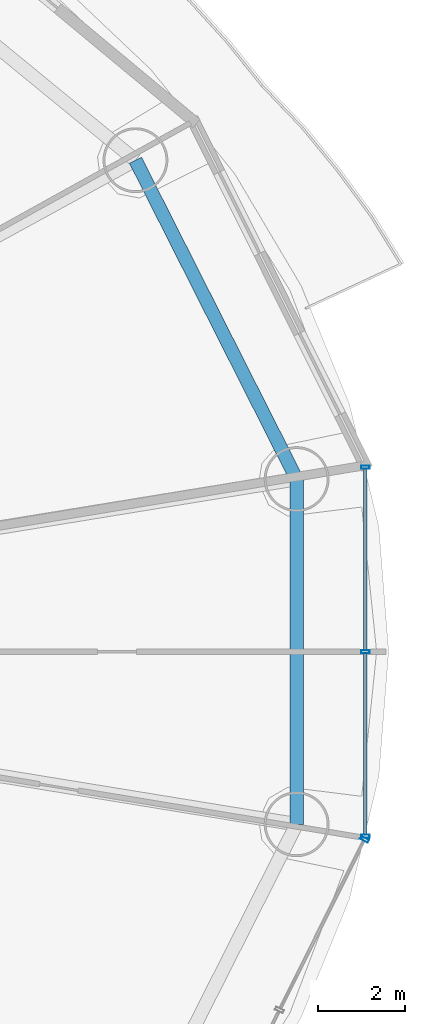
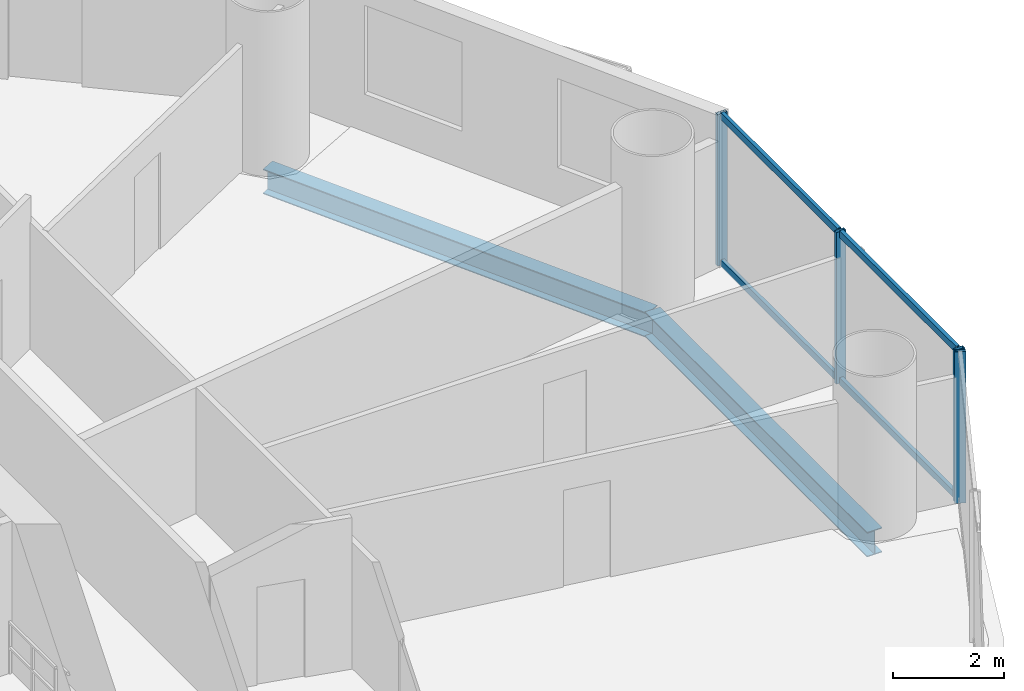
# One storey, part 15 of 29: 8 members, 2 beams, 2 elements without a shape of their own.
"""IFC4 building model written with IfcOpenShell, lengths in metres."""

from ifc_helpers import new_model, si_unit, direction, frame, origin, origin_2d, place, context, subcontext, project, spatial, hollow_rectangle, i_section, extrude, source, transform, mapped, material, material_profile, profile_set, type_object, element, aggregate, save


model = new_model("IFC4")

# Units and contexts
model_context = context("Model", 3, precision=1e-05, world=origin(), true_north=direction((-0.2419218956, 0.970295726276)))
body_context = subcontext(model_context, "Body", "Model", "MODEL_VIEW")
ifc_project = project(units=[si_unit("LENGTHUNIT", "METRE"), si_unit("AREAUNIT", "SQUARE_METRE"), si_unit("VOLUMEUNIT", "CUBIC_METRE"), si_unit("PLANEANGLEUNIT", "RADIAN"), si_unit("MASSUNIT", "GRAM", prefix="KILO")], contexts=[model_context])

# Site, building, storey
site_placement = place(None, origin())
site = spatial("IfcSite", under=ifc_project, at=site_placement, CompositionType="ELEMENT")
building_placement = place(site_placement, origin())
building = spatial("IfcBuilding", under=site, at=building_placement, Name="Cobrevalo Terracotta Tower", CompositionType="ELEMENT")
storey_placement = place(building_placement, frame((0.0, 0.0, 87.0)))
storey = spatial("IfcBuildingStorey", under=building, at=storey_placement, Name="L22", CompositionType="ELEMENT", Elevation=87.0)

# Beams
ifc_material_1 = material(Name="Steel S355", Category="steel")
ifc_material_profile_1 = material_profile(ifc_material_1, i_section(OverallWidth=0.31201171875, OverallDepth=0.54296875, WebThickness=0.0126953125, FlangeThickness=0.020263671875, at=origin_2d()), Name="W 530x150")
ifc_profile_set_1 = profile_set([ifc_material_profile_1], Name="Steel S355")
beam_type = type_object("IfcBeamType", Name="Structural Spandrel W 530x150 (Steel S355)", PredefinedType="SPANDREL", material=ifc_profile_set_1)
beam_1_placement = place(storey_placement, frame((62.470703125, 30.78955078125, -0.54638671875), z_axis=(-0.451051982172, 0.892497680321, 0.0), x_axis=(-0.892497680321, -0.451051982172, 0.0)))
element("IfcBeam", 1, at=beam_1_placement, inside=storey, type_object=beam_type, Name="L22 perimeter ring spandrel 01", PredefinedType="SPANDREL", context=body_context, shape_type="SweptSolid", body=[
    extrude(i_section(OverallWidth=0.31201171875, OverallDepth=0.54296875, WebThickness=0.0126953125, FlangeThickness=0.020263671875, at=origin_2d()), origin(), (0.0, 0.0, 1.0), 8.259765625),
])
beam_2_placement = place(storey_placement, frame((62.470703125, 22.810302734375, -0.54638671875), z_axis=(0.0, 1.0, 0.0), x_axis=(-1.0, 0.0, 0.0)))
element("IfcBeam", 2, at=beam_2_placement, inside=storey, type_object=beam_type, Name="L22 perimeter ring spandrel 16", PredefinedType="SPANDREL", context=body_context, shape_type="SweptSolid", body=[
    extrude(i_section(OverallWidth=0.31201171875, OverallDepth=0.54296875, WebThickness=0.0126953125, FlangeThickness=0.020263671875, at=origin_2d()), origin(), (0.0, 0.0, 1.0), 7.979248046875),
])

# Curtain wall, members
ifc_material_2 = material(Name="Anodized aluminium", Category="aluminium")
curtain_wall_type = type_object("IfcCurtainWallType", Name="Lower-tower unitised acoustic low-E curtain wall CW-U1", PredefinedType="NOTDEFINED", material=ifc_material_2)
curtain_wall_1_placement = place(storey_placement, origin())
curtain_wall_1 = element("IfcCurtainWall", 3, at=curtain_wall_1_placement, inside=storey, type_object=curtain_wall_type, Name="L22 curtain wall CW-L22-S16", PredefinedType="NOTDEFINED")
ifc_material_profile_2 = material_profile(ifc_material_2, hollow_rectangle(XDim=0.074951171875, YDim=0.14990234375, WallThickness=0.00439453125, at=origin_2d()), Name="CWT 75x150")
ifc_profile_set_2 = profile_set([ifc_material_profile_2], Name="Anodized aluminium")
member_type_1 = type_object("IfcMemberType", Name="Tower unitised aluminium transom 75x150", PredefinedType="USERDEFINED", material=ifc_profile_set_2)
shared_shape_1 = source(origin(), body_context, "Body", "SweptSolid", [
    extrude(hollow_rectangle(XDim=0.074951171875, YDim=0.14990234375, WallThickness=0.00439453125, at=origin_2d()), origin(), (0.0, 0.0, 1.0), 4.185546875),
])
member_1_placement = place(storey_placement, frame((64.0595703125, 22.574462890625, 0.050048828125), z_axis=(0.0, 1.0, 0.0), x_axis=(-1.0, 0.0, 0.0)))
member_1 = element("IfcMember", 4, at=member_1_placement, type_object=member_type_1, Name="CW-L22-S16 transom B01-T1", ObjectType="TRANSOM", PredefinedType="USERDEFINED", context=body_context, shape_type="MappedRepresentation", body=[
    mapped(shared_shape_1, transform((0.0, 0.0, 0.0), scale=1.0)),
])
member_2_placement = place(storey_placement, frame((64.0595703125, 22.574462890625, 3.27490234375), z_axis=(0.0, 1.0, 0.0), x_axis=(-1.0, 0.0, 0.0)))
member_2 = element("IfcMember", 5, at=member_2_placement, type_object=member_type_1, Name="CW-L22-S16 transom B01-T2", ObjectType="TRANSOM", PredefinedType="USERDEFINED", context=body_context, shape_type="MappedRepresentation", body=[
    mapped(shared_shape_1, transform((0.0, 0.0, 0.0), scale=1.0)),
])
member_3_placement = place(storey_placement, frame((64.0595703125, 26.840087890625, 0.050048828125), z_axis=(0.0, 1.0, 0.0), x_axis=(-1.0, 0.0, 0.0)))
member_3 = element("IfcMember", 6, at=member_3_placement, type_object=member_type_1, Name="CW-L22-S16 transom B02-T1", ObjectType="TRANSOM", PredefinedType="USERDEFINED", context=body_context, shape_type="MappedRepresentation", body=[
    mapped(shared_shape_1, transform((0.0, 0.0, 0.0), scale=1.0)),
])
member_4_placement = place(storey_placement, frame((64.0595703125, 26.840087890625, 3.27490234375), z_axis=(0.0, 1.0, 0.0), x_axis=(-1.0, 0.0, 0.0)))
member_4 = element("IfcMember", 7, at=member_4_placement, type_object=member_type_1, Name="CW-L22-S16 transom B02-T2", ObjectType="TRANSOM", PredefinedType="USERDEFINED", context=body_context, shape_type="MappedRepresentation", body=[
    mapped(shared_shape_1, transform((0.0, 0.0, 0.0), scale=1.0)),
])

# Curtain wall, member
curtain_wall_2_placement = place(storey_placement, origin())
curtain_wall_2 = element("IfcCurtainWall", 8, at=curtain_wall_2_placement, inside=storey, type_object=curtain_wall_type, Name="L22 curtain wall CW-L22-S15", PredefinedType="NOTDEFINED")
ifc_material_profile_3 = material_profile(ifc_material_2, hollow_rectangle(XDim=0.074951171875, YDim=0.199951171875, WallThickness=0.0048828125, at=origin_2d()), Name="CWM 75x200")
ifc_profile_set_3 = profile_set([ifc_material_profile_3], Name="Anodized aluminium")
member_type_2 = type_object("IfcMemberType", Name="Lower/mid tower unitised mullion 75x200", PredefinedType="MULLION", material=ifc_profile_set_3)
shared_shape_2 = source(origin(), body_context, "Body", "SweptSolid", [
    extrude(hollow_rectangle(XDim=0.074951171875, YDim=0.199951171875, WallThickness=0.0048828125, at=origin_2d()), origin(), (0.0, 0.0, 1.0), 3.324951171875),
])
member_5_placement = place(storey_placement, frame((64.04150390625, 22.45849609375, 0.0), z_axis=(0.0, 0.0, 1.0), x_axis=(0.446260290227, 0.894903208937, 0.0)))
member_5 = element("IfcMember", 9, at=member_5_placement, type_object=member_type_2, Name="CW-L22-S15 vertical mullion 03", PredefinedType="MULLION", context=body_context, shape_type="MappedRepresentation", body=[
    mapped(shared_shape_2, transform((0.0, 0.0, 0.0), scale=1.0)),
])
aggregate(curtain_wall_2, [member_5])

# Member
member_6_placement = place(storey_placement, frame((64.0595703125, 22.534423828125, 0.0), z_axis=(0.0, 0.0, 1.0), x_axis=(0.0, 1.0, 0.0)))
member_6 = element("IfcMember", 10, at=member_6_placement, type_object=member_type_2, Name="CW-L22-S16 vertical mullion 01", PredefinedType="MULLION", context=body_context, shape_type="MappedRepresentation", body=[
    mapped(shared_shape_2, transform((0.0, 0.0, 0.0), scale=1.0)),
])

member_7_placement = place(storey_placement, frame((64.0595703125, 26.800048828125, 0.0), z_axis=(0.0, 0.0, 1.0), x_axis=(0.0, 1.0, 0.0)))
member_7 = element("IfcMember", 11, at=member_7_placement, type_object=member_type_2, Name="CW-L22-S16 vertical mullion 02", PredefinedType="MULLION", context=body_context, shape_type="MappedRepresentation", body=[
    mapped(shared_shape_2, transform((0.0, 0.0, 0.0), scale=1.0)),
])

member_8_placement = place(storey_placement, frame((64.0595703125, 31.065673828125, 0.0), z_axis=(0.0, 0.0, 1.0), x_axis=(0.0, 1.0, 0.0)))
member_8 = element("IfcMember", 12, at=member_8_placement, type_object=member_type_2, Name="CW-L22-S16 vertical mullion 03", PredefinedType="MULLION", context=body_context, shape_type="MappedRepresentation", body=[
    mapped(shared_shape_2, transform((0.0, 0.0, 0.0), scale=1.0)),
])

aggregate(curtain_wall_1, [member_6, member_7, member_8, member_1, member_2, member_3, member_4])

save(model, "model.ifc")
